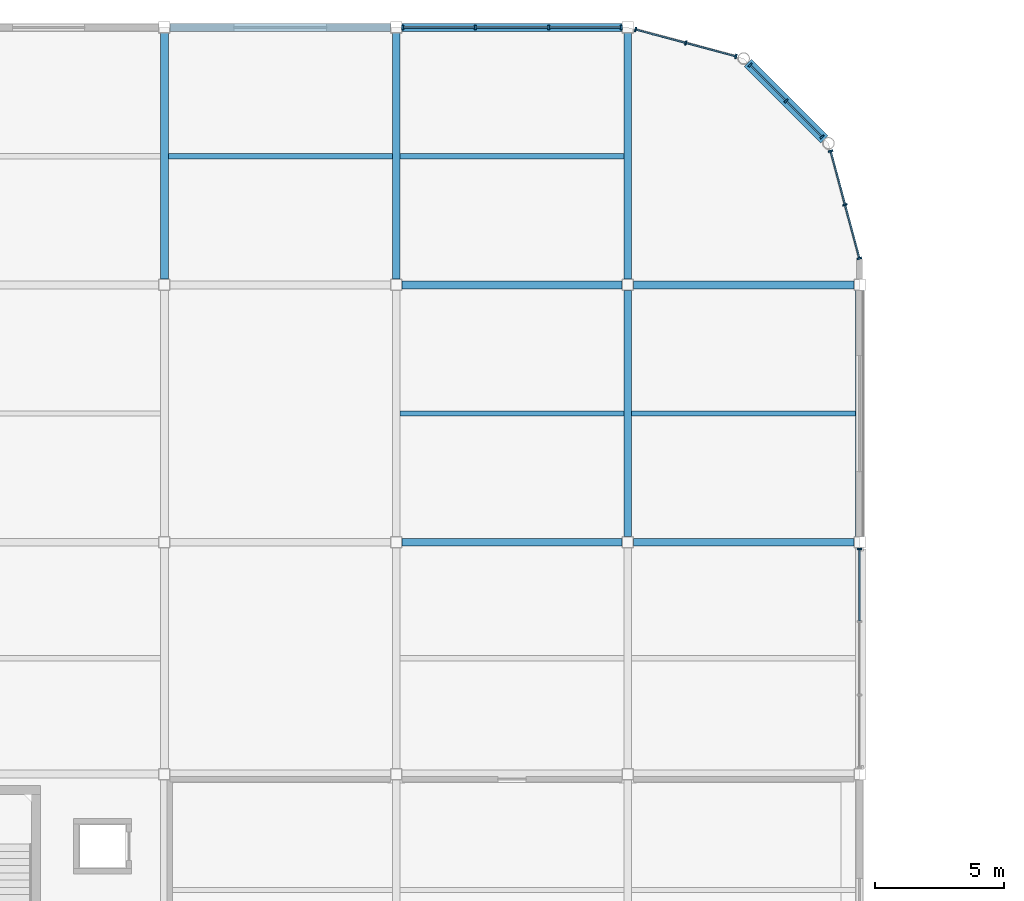
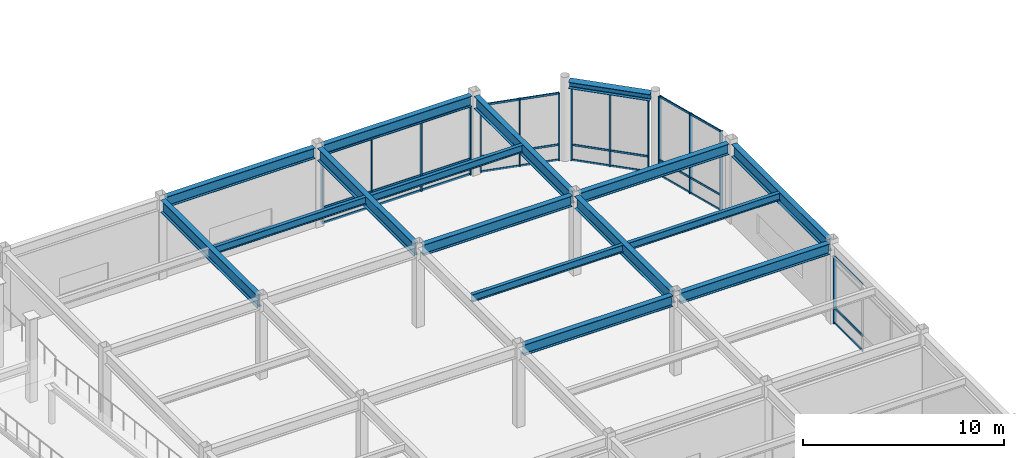
# One storey, part 53 of 123: 44 members, 16 beams, 5 elements without a shape of their own.
"""IFC4 building model written with IfcOpenShell, lengths in metres."""

from ifc_helpers import new_model, si_unit, direction, frame, origin, origin_2d, place, context, subcontext, project, spatial, rectangle, i_section, extrude, material, material_profile, profile_set, type_object, element, aggregate, save


model = new_model("IFC4")

# Units and contexts
model_context = context("Model", 3, precision=1e-05, world=origin(), true_north=direction((0.0, 1.0)))
body_context = subcontext(model_context, "Body", "Model", "MODEL_VIEW")
ifc_project = project(units=[si_unit("LENGTHUNIT", "METRE"), si_unit("AREAUNIT", "SQUARE_METRE"), si_unit("VOLUMEUNIT", "CUBIC_METRE"), si_unit("PLANEANGLEUNIT", "RADIAN"), si_unit("MASSUNIT", "GRAM", prefix="KILO")], contexts=[model_context])

# Site, building, storey
site_placement = place(None, origin())
site = spatial("IfcSite", under=ifc_project, at=site_placement, CompositionType="ELEMENT")
building_placement = place(site_placement, origin())
building = spatial("IfcBuilding", under=site, at=building_placement, Name="Suzunagisa Mobility Hub", CompositionType="ELEMENT")
storey_placement = place(building_placement, origin())
storey = spatial("IfcBuildingStorey", under=building, at=storey_placement, Name="L00", CompositionType="ELEMENT", Elevation=0.0)

# Curtain wall, members
ifc_material_1 = material(Name="Thermally Broken Anodized Aluminum and Low-E Glazing", Category="aluminium")
curtain_wall_type_1 = type_object("IfcCurtainWallType", Name="Unitised Curtain Wall CW-09 8500x4100", PredefinedType="USERDEFINED", material=ifc_material_1)
curtain_wall_1_placement = place(storey_placement, origin())
curtain_wall_1 = element("IfcCurtainWall", 1, at=curtain_wall_1_placement, inside=storey, type_object=curtain_wall_type_1, Name="L00 Unitised Curtain Wall CW-93", ObjectType="UNITISED CURTAIN WALL", PredefinedType="USERDEFINED")
ifc_material_2 = material(Name="Anodized Aluminum 6063-T6", Category="aluminium")
ifc_material_profile_1 = material_profile(ifc_material_2, rectangle(XDim=0.06494140625, YDim=0.139892578125, at=origin_2d()), Name="TRAN-65x140")
ifc_profile_set_1 = profile_set([ifc_material_profile_1], Name="Anodized Aluminum 6063-T6")
member_type_1 = type_object("IfcMemberType", Name="Curtain Wall Framing CM-01 TRAN-65x140", PredefinedType="USERDEFINED", material=ifc_profile_set_1)
member_1_placement = place(storey_placement, frame((126.0, 94.95556640625, 0.032470703125), z_axis=(0.0, 1.0, 0.0), x_axis=(-1.0, 0.0, 0.0)))
member_1 = element("IfcMember", 2, at=member_1_placement, type_object=member_type_1, Name="Curtain Wall Transom 93-T3.1", ObjectType="TRANSOM", PredefinedType="USERDEFINED", context=body_context, shape_type="SweptSolid", body=[
    extrude(rectangle(XDim=0.06494140625, YDim=0.139892578125, at=origin_2d()), origin(), (0.0, 0.0, 1.0), 2.75634765625),
])
member_2_placement = place(storey_placement, frame((126.0, 94.95556640625, 0.949951171875), z_axis=(0.0, 1.0, 0.0), x_axis=(-1.0, 0.0, 0.0)))
member_2 = element("IfcMember", 3, at=member_2_placement, type_object=member_type_1, Name="Curtain Wall Transom 93-T3.2", ObjectType="TRANSOM", PredefinedType="USERDEFINED", context=body_context, shape_type="SweptSolid", body=[
    extrude(rectangle(XDim=0.06494140625, YDim=0.139892578125, at=origin_2d()), origin(), (0.0, 0.0, 1.0), 2.75634765625),
])
member_3_placement = place(storey_placement, frame((126.0, 94.95556640625, 4.0576171875), z_axis=(0.0, 1.0, 0.0), x_axis=(-1.0, 0.0, 0.0)))
member_3 = element("IfcMember", 4, at=member_3_placement, type_object=member_type_1, Name="Curtain Wall Transom 93-T3.3", ObjectType="TRANSOM", PredefinedType="USERDEFINED", context=body_context, shape_type="SweptSolid", body=[
    extrude(rectangle(XDim=0.06494140625, YDim=0.139892578125, at=origin_2d()), origin(), (0.0, 0.0, 1.0), 2.75634765625),
])

curtain_wall_type_2 = type_object("IfcCurtainWallType", Name="Unitised Curtain Wall CW-32 8500x4200", PredefinedType="USERDEFINED", material=ifc_material_1)
curtain_wall_2_placement = place(storey_placement, origin())
curtain_wall_2 = element("IfcCurtainWall", 5, at=curtain_wall_2_placement, inside=storey, type_object=curtain_wall_type_2, Name="L00 Unitised Curtain Wall CW-97", ObjectType="UNITISED CURTAIN WALL", PredefinedType="USERDEFINED")
member_4_placement = place(storey_placement, frame((116.7119140625, 118.0, 0.032470703125), z_axis=(-1.0, 0.0, 0.0), x_axis=(0.0, -1.0, 0.0)))
member_4 = element("IfcMember", 6, at=member_4_placement, type_object=member_type_1, Name="Curtain Wall Transom 97-T1.1", ObjectType="TRANSOM", PredefinedType="USERDEFINED", context=body_context, shape_type="SweptSolid", body=[
    extrude(rectangle(XDim=0.06494140625, YDim=0.139892578125, at=origin_2d()), origin(), (0.0, 0.0, 1.0), 2.75634765625),
])
member_5_placement = place(storey_placement, frame((116.7119140625, 118.0, 0.949951171875), z_axis=(-1.0, 0.0, 0.0), x_axis=(0.0, -1.0, 0.0)))
member_5 = element("IfcMember", 7, at=member_5_placement, type_object=member_type_1, Name="Curtain Wall Transom 97-T1.2", ObjectType="TRANSOM", PredefinedType="USERDEFINED", context=body_context, shape_type="SweptSolid", body=[
    extrude(rectangle(XDim=0.06494140625, YDim=0.139892578125, at=origin_2d()), origin(), (0.0, 0.0, 1.0), 2.75634765625),
])
member_6_placement = place(storey_placement, frame((116.7119140625, 118.0, 4.157470703125), z_axis=(-1.0, 0.0, 0.0), x_axis=(0.0, -1.0, 0.0)))
member_6 = element("IfcMember", 8, at=member_6_placement, type_object=member_type_1, Name="Curtain Wall Transom 97-T1.3", ObjectType="TRANSOM", PredefinedType="USERDEFINED", context=body_context, shape_type="SweptSolid", body=[
    extrude(rectangle(XDim=0.06494140625, YDim=0.139892578125, at=origin_2d()), origin(), (0.0, 0.0, 1.0), 2.75634765625),
])
member_7_placement = place(storey_placement, frame((113.89453125, 118.0, 0.032470703125), z_axis=(-1.0, 0.0, 0.0), x_axis=(0.0, -1.0, 0.0)))
member_7 = element("IfcMember", 9, at=member_7_placement, type_object=member_type_1, Name="Curtain Wall Transom 97-T2.1", ObjectType="TRANSOM", PredefinedType="USERDEFINED", context=body_context, shape_type="SweptSolid", body=[
    extrude(rectangle(XDim=0.06494140625, YDim=0.139892578125, at=origin_2d()), origin(), (0.0, 0.0, 1.0), 2.7890625),
])
member_8_placement = place(storey_placement, frame((113.89453125, 118.0, 0.949951171875), z_axis=(-1.0, 0.0, 0.0), x_axis=(0.0, -1.0, 0.0)))
member_8 = element("IfcMember", 10, at=member_8_placement, type_object=member_type_1, Name="Curtain Wall Transom 97-T2.2", ObjectType="TRANSOM", PredefinedType="USERDEFINED", context=body_context, shape_type="SweptSolid", body=[
    extrude(rectangle(XDim=0.06494140625, YDim=0.139892578125, at=origin_2d()), origin(), (0.0, 0.0, 1.0), 2.7890625),
])
member_9_placement = place(storey_placement, frame((113.89453125, 118.0, 4.157470703125), z_axis=(-1.0, 0.0, 0.0), x_axis=(0.0, -1.0, 0.0)))
member_9 = element("IfcMember", 11, at=member_9_placement, type_object=member_type_1, Name="Curtain Wall Transom 97-T2.3", ObjectType="TRANSOM", PredefinedType="USERDEFINED", context=body_context, shape_type="SweptSolid", body=[
    extrude(rectangle(XDim=0.06494140625, YDim=0.139892578125, at=origin_2d()), origin(), (0.0, 0.0, 1.0), 2.7890625),
])
member_10_placement = place(storey_placement, frame((111.04443359375, 118.0, 0.032470703125), z_axis=(-1.0, 0.0, 0.0), x_axis=(0.0, -1.0, 0.0)))
member_10 = element("IfcMember", 12, at=member_10_placement, type_object=member_type_1, Name="Curtain Wall Transom 97-T3.1", ObjectType="TRANSOM", PredefinedType="USERDEFINED", context=body_context, shape_type="SweptSolid", body=[
    extrude(rectangle(XDim=0.06494140625, YDim=0.139892578125, at=origin_2d()), origin(), (0.0, 0.0, 1.0), 2.75634765625),
])
member_11_placement = place(storey_placement, frame((111.04443359375, 118.0, 0.949951171875), z_axis=(-1.0, 0.0, 0.0), x_axis=(0.0, -1.0, 0.0)))
member_11 = element("IfcMember", 13, at=member_11_placement, type_object=member_type_1, Name="Curtain Wall Transom 97-T3.2", ObjectType="TRANSOM", PredefinedType="USERDEFINED", context=body_context, shape_type="SweptSolid", body=[
    extrude(rectangle(XDim=0.06494140625, YDim=0.139892578125, at=origin_2d()), origin(), (0.0, 0.0, 1.0), 2.75634765625),
])
member_12_placement = place(storey_placement, frame((111.04443359375, 118.0, 4.157470703125), z_axis=(-1.0, 0.0, 0.0), x_axis=(0.0, -1.0, 0.0)))
member_12 = element("IfcMember", 14, at=member_12_placement, type_object=member_type_1, Name="Curtain Wall Transom 97-T3.3", ObjectType="TRANSOM", PredefinedType="USERDEFINED", context=body_context, shape_type="SweptSolid", body=[
    extrude(rectangle(XDim=0.06494140625, YDim=0.139892578125, at=origin_2d()), origin(), (0.0, 0.0, 1.0), 2.75634765625),
])

curtain_wall_type_3 = type_object("IfcCurtainWallType", Name="Unitised Curtain Wall CW-08 4500x4800", PredefinedType="USERDEFINED", material=ifc_material_1)
curtain_wall_3_placement = place(storey_placement, origin())
curtain_wall_3 = element("IfcCurtainWall", 15, at=curtain_wall_3_placement, inside=storey, type_object=curtain_wall_type_3, Name="L00 Unitised Curtain Wall CW-94", ObjectType="UNITISED CURTAIN WALL", PredefinedType="USERDEFINED")
ifc_material_profile_2 = material_profile(ifc_material_2, rectangle(XDim=0.06005859375, YDim=0.1201171875, at=origin_2d()), Name="TRAN-60x120")
ifc_profile_set_2 = profile_set([ifc_material_profile_2], Name="Anodized Aluminum 6063-T6")
member_type_2 = type_object("IfcMemberType", Name="Curtain Wall Framing CM-02 TRAN-60x120", PredefinedType="USERDEFINED", material=ifc_profile_set_2)
member_13_placement = place(storey_placement, frame((125.983642578125, 109.060791015625, 0.030029296875), z_axis=(-0.258837010304, 0.965921012349, 0.0), x_axis=(-0.965921012349, -0.258837010304, 0.0)))
member_13 = element("IfcMember", 16, at=member_13_placement, type_object=member_type_2, Name="Curtain Wall Transom 94-T1.1", ObjectType="TRANSOM", PredefinedType="USERDEFINED", context=body_context, shape_type="SweptSolid", body=[
    extrude(rectangle(XDim=0.06005859375, YDim=0.1201171875, at=origin_2d()), origin(), (0.0, 0.0, 1.0), 2.095947265625),
])
member_14_placement = place(storey_placement, frame((125.983642578125, 109.060791015625, 0.949951171875), z_axis=(-0.258837010304, 0.965921012349, 0.0), x_axis=(-0.965921012349, -0.258837010304, 0.0)))
member_14 = element("IfcMember", 17, at=member_14_placement, type_object=member_type_2, Name="Curtain Wall Transom 94-T1.2", ObjectType="TRANSOM", PredefinedType="USERDEFINED", context=body_context, shape_type="SweptSolid", body=[
    extrude(rectangle(XDim=0.06005859375, YDim=0.1201171875, at=origin_2d()), origin(), (0.0, 0.0, 1.0), 2.095947265625),
])
member_15_placement = place(storey_placement, frame((125.983642578125, 109.060791015625, 4.81005859375), z_axis=(-0.258837010304, 0.965921012349, 0.0), x_axis=(-0.965921012349, -0.258837010304, 0.0)))
member_15 = element("IfcMember", 18, at=member_15_placement, type_object=member_type_2, Name="Curtain Wall Transom 94-T1.3", ObjectType="TRANSOM", PredefinedType="USERDEFINED", context=body_context, shape_type="SweptSolid", body=[
    extrude(rectangle(XDim=0.06005859375, YDim=0.1201171875, at=origin_2d()), origin(), (0.0, 0.0, 1.0), 2.095947265625),
])
member_16_placement = place(storey_placement, frame((125.42529296875, 111.144287109375, 0.030029296875), z_axis=(-0.258728321405, 0.965950131064, 0.0), x_axis=(-0.965950131064, -0.258728321405, 0.0)))
member_16 = element("IfcMember", 19, at=member_16_placement, type_object=member_type_2, Name="Curtain Wall Transom 94-T2.1", ObjectType="TRANSOM", PredefinedType="USERDEFINED", context=body_context, shape_type="SweptSolid", body=[
    extrude(rectangle(XDim=0.06005859375, YDim=0.1201171875, at=origin_2d()), origin(), (0.0, 0.0, 1.0), 2.095703125),
])
member_17_placement = place(storey_placement, frame((125.42529296875, 111.144287109375, 0.949951171875), z_axis=(-0.258728321405, 0.965950131064, 0.0), x_axis=(-0.965950131064, -0.258728321405, 0.0)))
member_17 = element("IfcMember", 20, at=member_17_placement, type_object=member_type_2, Name="Curtain Wall Transom 94-T2.2", ObjectType="TRANSOM", PredefinedType="USERDEFINED", context=body_context, shape_type="SweptSolid", body=[
    extrude(rectangle(XDim=0.06005859375, YDim=0.1201171875, at=origin_2d()), origin(), (0.0, 0.0, 1.0), 2.095703125),
])
member_18_placement = place(storey_placement, frame((125.42529296875, 111.144287109375, 4.81005859375), z_axis=(-0.258728321405, 0.965950131064, 0.0), x_axis=(-0.965950131064, -0.258728321405, 0.0)))
member_18 = element("IfcMember", 21, at=member_18_placement, type_object=member_type_2, Name="Curtain Wall Transom 94-T2.3", ObjectType="TRANSOM", PredefinedType="USERDEFINED", context=body_context, shape_type="SweptSolid", body=[
    extrude(rectangle(XDim=0.06005859375, YDim=0.1201171875, at=origin_2d()), origin(), (0.0, 0.0, 1.0), 2.095703125),
])

curtain_wall_type_4 = type_object("IfcCurtainWallType", Name="Unitised Curtain Wall CW-26 4000x4400", PredefinedType="USERDEFINED", material=ifc_material_1)
curtain_wall_4_placement = place(storey_placement, origin())
curtain_wall_4 = element("IfcCurtainWall", 22, at=curtain_wall_4_placement, inside=storey, type_object=curtain_wall_type_4, Name="L00 Unitised Curtain Wall CW-95", ObjectType="UNITISED CURTAIN WALL", PredefinedType="USERDEFINED")
member_19_placement = place(storey_placement, frame((124.52099609375, 113.773193359375, 0.030029296875), z_axis=(-0.707106781187, 0.707106781187, 0.0), x_axis=(-0.707106781187, -0.707106781187, 0.0)))
member_19 = element("IfcMember", 23, at=member_19_placement, type_object=member_type_2, Name="Curtain Wall Transom 95-T1.1", ObjectType="TRANSOM", PredefinedType="USERDEFINED", context=body_context, shape_type="SweptSolid", body=[
    extrude(rectangle(XDim=0.06005859375, YDim=0.1201171875, at=origin_2d()), origin(), (0.0, 0.0, 1.0), 1.912353515625),
])
member_20_placement = place(storey_placement, frame((124.52099609375, 113.773193359375, 0.949951171875), z_axis=(-0.707106781187, 0.707106781187, 0.0), x_axis=(-0.707106781187, -0.707106781187, 0.0)))
member_20 = element("IfcMember", 24, at=member_20_placement, type_object=member_type_2, Name="Curtain Wall Transom 95-T1.2", ObjectType="TRANSOM", PredefinedType="USERDEFINED", context=body_context, shape_type="SweptSolid", body=[
    extrude(rectangle(XDim=0.06005859375, YDim=0.1201171875, at=origin_2d()), origin(), (0.0, 0.0, 1.0), 1.912353515625),
])
member_21_placement = place(storey_placement, frame((124.52099609375, 113.773193359375, 4.409912109375), z_axis=(-0.707106781187, 0.707106781187, 0.0), x_axis=(-0.707106781187, -0.707106781187, 0.0)))
member_21 = element("IfcMember", 25, at=member_21_placement, type_object=member_type_2, Name="Curtain Wall Transom 95-T1.3", ObjectType="TRANSOM", PredefinedType="USERDEFINED", context=body_context, shape_type="SweptSolid", body=[
    extrude(rectangle(XDim=0.06005859375, YDim=0.1201171875, at=origin_2d()), origin(), (0.0, 0.0, 1.0), 1.912353515625),
])
member_22_placement = place(storey_placement, frame((123.12548828125, 115.168701171875, 0.030029296875), z_axis=(-0.707106781187, 0.707106781187, 0.0), x_axis=(-0.707106781187, -0.707106781187, 0.0)))
member_22 = element("IfcMember", 26, at=member_22_placement, type_object=member_type_2, Name="Curtain Wall Transom 95-T2.1", ObjectType="TRANSOM", PredefinedType="USERDEFINED", context=body_context, shape_type="SweptSolid", body=[
    extrude(rectangle(XDim=0.06005859375, YDim=0.1201171875, at=origin_2d()), origin(), (0.0, 0.0, 1.0), 1.912353515625),
])
member_23_placement = place(storey_placement, frame((123.12548828125, 115.168701171875, 0.949951171875), z_axis=(-0.707106781187, 0.707106781187, 0.0), x_axis=(-0.707106781187, -0.707106781187, 0.0)))
member_23 = element("IfcMember", 27, at=member_23_placement, type_object=member_type_2, Name="Curtain Wall Transom 95-T2.2", ObjectType="TRANSOM", PredefinedType="USERDEFINED", context=body_context, shape_type="SweptSolid", body=[
    extrude(rectangle(XDim=0.06005859375, YDim=0.1201171875, at=origin_2d()), origin(), (0.0, 0.0, 1.0), 1.912353515625),
])
member_24_placement = place(storey_placement, frame((123.12548828125, 115.168701171875, 4.409912109375), z_axis=(-0.707106781187, 0.707106781187, 0.0), x_axis=(-0.707106781187, -0.707106781187, 0.0)))
member_24 = element("IfcMember", 28, at=member_24_placement, type_object=member_type_2, Name="Curtain Wall Transom 95-T2.3", ObjectType="TRANSOM", PredefinedType="USERDEFINED", context=body_context, shape_type="SweptSolid", body=[
    extrude(rectangle(XDim=0.06005859375, YDim=0.1201171875, at=origin_2d()), origin(), (0.0, 0.0, 1.0), 1.912353515625),
])

curtain_wall_type_5 = type_object("IfcCurtainWallType", Name="Unitised Curtain Wall CW-40 4000x4100", PredefinedType="USERDEFINED", material=ifc_material_1)
curtain_wall_5_placement = place(storey_placement, origin())
curtain_wall_5 = element("IfcCurtainWall", 29, at=curtain_wall_5_placement, inside=storey, type_object=curtain_wall_type_5, Name="L00 Unitised Curtain Wall CW-96", ObjectType="UNITISED CURTAIN WALL", PredefinedType="USERDEFINED")
member_25_placement = place(storey_placement, frame((121.168701171875, 116.883056640625, 0.030029296875), z_axis=(-0.965919666478, 0.258842032736, 0.0), x_axis=(-0.258842032736, -0.965919666478, 0.0)))
member_25 = element("IfcMember", 30, at=member_25_placement, type_object=member_type_2, Name="Curtain Wall Transom 96-T1.1", ObjectType="TRANSOM", PredefinedType="USERDEFINED", context=body_context, shape_type="SweptSolid", body=[
    extrude(rectangle(XDim=0.06005859375, YDim=0.1201171875, at=origin_2d()), origin(), (0.0, 0.0, 1.0), 1.9580078125),
])
member_26_placement = place(storey_placement, frame((121.168701171875, 116.883056640625, 0.949951171875), z_axis=(-0.965919666478, 0.258842032736, 0.0), x_axis=(-0.258842032736, -0.965919666478, 0.0)))
member_26 = element("IfcMember", 31, at=member_26_placement, type_object=member_type_2, Name="Curtain Wall Transom 96-T1.2", ObjectType="TRANSOM", PredefinedType="USERDEFINED", context=body_context, shape_type="SweptSolid", body=[
    extrude(rectangle(XDim=0.06005859375, YDim=0.1201171875, at=origin_2d()), origin(), (0.0, 0.0, 1.0), 1.9580078125),
])
member_27_placement = place(storey_placement, frame((121.168701171875, 116.883056640625, 4.06005859375), z_axis=(-0.965919666478, 0.258842032736, 0.0), x_axis=(-0.258842032736, -0.965919666478, 0.0)))
member_27 = element("IfcMember", 32, at=member_27_placement, type_object=member_type_2, Name="Curtain Wall Transom 96-T1.3", ObjectType="TRANSOM", PredefinedType="USERDEFINED", context=body_context, shape_type="SweptSolid", body=[
    extrude(rectangle(XDim=0.06005859375, YDim=0.1201171875, at=origin_2d()), origin(), (0.0, 0.0, 1.0), 1.9580078125),
])
member_28_placement = place(storey_placement, frame((119.218505859375, 117.405517578125, 0.030029296875), z_axis=(-0.965919666478, 0.258842032736, 0.0), x_axis=(-0.258842032736, -0.965919666478, 0.0)))
member_28 = element("IfcMember", 33, at=member_28_placement, type_object=member_type_2, Name="Curtain Wall Transom 96-T2.1", ObjectType="TRANSOM", PredefinedType="USERDEFINED", context=body_context, shape_type="SweptSolid", body=[
    extrude(rectangle(XDim=0.06005859375, YDim=0.1201171875, at=origin_2d()), origin(), (0.0, 0.0, 1.0), 1.9580078125),
])
member_29_placement = place(storey_placement, frame((119.218505859375, 117.405517578125, 0.949951171875), z_axis=(-0.965919666478, 0.258842032736, 0.0), x_axis=(-0.258842032736, -0.965919666478, 0.0)))
member_29 = element("IfcMember", 34, at=member_29_placement, type_object=member_type_2, Name="Curtain Wall Transom 96-T2.2", ObjectType="TRANSOM", PredefinedType="USERDEFINED", context=body_context, shape_type="SweptSolid", body=[
    extrude(rectangle(XDim=0.06005859375, YDim=0.1201171875, at=origin_2d()), origin(), (0.0, 0.0, 1.0), 1.9580078125),
])
member_30_placement = place(storey_placement, frame((119.218505859375, 117.405517578125, 4.06005859375), z_axis=(-0.965919666478, 0.258842032736, 0.0), x_axis=(-0.258842032736, -0.965919666478, 0.0)))
member_30 = element("IfcMember", 35, at=member_30_placement, type_object=member_type_2, Name="Curtain Wall Transom 96-T2.3", ObjectType="TRANSOM", PredefinedType="USERDEFINED", context=body_context, shape_type="SweptSolid", body=[
    extrude(rectangle(XDim=0.06005859375, YDim=0.1201171875, at=origin_2d()), origin(), (0.0, 0.0, 1.0), 1.9580078125),
])

# Member
ifc_material_profile_3 = material_profile(ifc_material_2, rectangle(XDim=0.06494140625, YDim=0.179931640625, at=origin_2d()), Name="MULL-65x180")
ifc_profile_set_3 = profile_set([ifc_material_profile_3], Name="Anodized Aluminum 6063-T6")
member_type_3 = type_object("IfcMemberType", Name="Curtain Wall Framing CM-04 MULL-65x180", PredefinedType="MULLION", material=ifc_profile_set_3)
member_31_placement = place(storey_placement, frame((126.0, 97.742431640625, 0.0), z_axis=(0.0, 0.0, 1.0), x_axis=(0.0, 1.0, 0.0)))
member_31 = element("IfcMember", 36, at=member_31_placement, type_object=member_type_3, Name="Curtain Wall Mullion 93-M4", PredefinedType="MULLION", context=body_context, shape_type="SweptSolid", body=[
    extrude(rectangle(XDim=0.06494140625, YDim=0.179931640625, at=origin_2d()), origin(), (0.0, 0.0, 1.0), 4.090087890625),
])

aggregate(curtain_wall_1, [member_31, member_1, member_2, member_3])

member_32_placement = place(storey_placement, frame((125.99169921875, 109.031494140625, 0.0), z_axis=(0.0, 0.0, 1.0), x_axis=(-0.258815230137, 0.965926848498, 0.0)))
member_32 = element("IfcMember", 37, at=member_32_placement, type_object=member_type_3, Name="Curtain Wall Mullion 94-M1", PredefinedType="MULLION", context=body_context, shape_type="SweptSolid", body=[
    extrude(rectangle(XDim=0.06494140625, YDim=0.179931640625, at=origin_2d()), origin(), (0.0, 0.0, 1.0), 4.840087890625),
])

member_33_placement = place(storey_placement, frame((125.433349609375, 111.11474609375, 0.0), z_axis=(0.0, 0.0, 1.0), x_axis=(-0.258815230137, 0.965926848498, 0.0)))
member_33 = element("IfcMember", 38, at=member_33_placement, type_object=member_type_3, Name="Curtain Wall Mullion 94-M2", PredefinedType="MULLION", context=body_context, shape_type="SweptSolid", body=[
    extrude(rectangle(XDim=0.06494140625, YDim=0.179931640625, at=origin_2d()), origin(), (0.0, 0.0, 1.0), 4.840087890625),
])

member_34_placement = place(storey_placement, frame((124.875, 113.1982421875, 0.0), z_axis=(0.0, 0.0, 1.0), x_axis=(-0.258815230137, 0.965926848498, 0.0)))
member_34 = element("IfcMember", 39, at=member_34_placement, type_object=member_type_3, Name="Curtain Wall Mullion 94-M3", PredefinedType="MULLION", context=body_context, shape_type="SweptSolid", body=[
    extrude(rectangle(XDim=0.06494140625, YDim=0.179931640625, at=origin_2d()), origin(), (0.0, 0.0, 1.0), 4.840087890625),
])

aggregate(curtain_wall_3, [member_32, member_33, member_34, member_13, member_14, member_15, member_16, member_17, member_18])

member_35_placement = place(storey_placement, frame((124.54248046875, 113.751708984375, 0.0), z_axis=(0.0, 0.0, 1.0), x_axis=(-0.707106781187, 0.707106781187, 0.0)))
member_35 = element("IfcMember", 40, at=member_35_placement, type_object=member_type_3, Name="Curtain Wall Mullion 95-M1", PredefinedType="MULLION", context=body_context, shape_type="SweptSolid", body=[
    extrude(rectangle(XDim=0.06494140625, YDim=0.179931640625, at=origin_2d()), origin(), (0.0, 0.0, 1.0), 4.43994140625),
])

member_36_placement = place(storey_placement, frame((123.147216796875, 115.147216796875, 0.0), z_axis=(0.0, 0.0, 1.0), x_axis=(-0.707106781187, 0.707106781187, 0.0)))
member_36 = element("IfcMember", 41, at=member_36_placement, type_object=member_type_3, Name="Curtain Wall Mullion 95-M2", PredefinedType="MULLION", context=body_context, shape_type="SweptSolid", body=[
    extrude(rectangle(XDim=0.06494140625, YDim=0.179931640625, at=origin_2d()), origin(), (0.0, 0.0, 1.0), 4.43994140625),
])

member_37_placement = place(storey_placement, frame((121.751708984375, 116.54248046875, 0.0), z_axis=(0.0, 0.0, 1.0), x_axis=(-0.707106781187, 0.707106781187, 0.0)))
member_37 = element("IfcMember", 42, at=member_37_placement, type_object=member_type_3, Name="Curtain Wall Mullion 95-M3", PredefinedType="MULLION", context=body_context, shape_type="SweptSolid", body=[
    extrude(rectangle(XDim=0.06494140625, YDim=0.179931640625, at=origin_2d()), origin(), (0.0, 0.0, 1.0), 4.43994140625),
])

aggregate(curtain_wall_4, [member_35, member_36, member_37, member_19, member_20, member_21, member_22, member_23, member_24])

member_38_placement = place(storey_placement, frame((121.1982421875, 116.875, 0.0), z_axis=(0.0, 0.0, 1.0), x_axis=(-0.965925206606, 0.258821357779, 0.0)))
member_38 = element("IfcMember", 43, at=member_38_placement, type_object=member_type_3, Name="Curtain Wall Mullion 96-M1", PredefinedType="MULLION", context=body_context, shape_type="SweptSolid", body=[
    extrude(rectangle(XDim=0.06494140625, YDim=0.179931640625, at=origin_2d()), origin(), (0.0, 0.0, 1.0), 4.090087890625),
])

member_39_placement = place(storey_placement, frame((119.247802734375, 117.397705078125, 0.0), z_axis=(0.0, 0.0, 1.0), x_axis=(-0.965925206606, 0.258821357779, 0.0)))
member_39 = element("IfcMember", 44, at=member_39_placement, type_object=member_type_3, Name="Curtain Wall Mullion 96-M2", PredefinedType="MULLION", context=body_context, shape_type="SweptSolid", body=[
    extrude(rectangle(XDim=0.06494140625, YDim=0.179931640625, at=origin_2d()), origin(), (0.0, 0.0, 1.0), 4.090087890625),
])

member_40_placement = place(storey_placement, frame((117.297607421875, 117.92041015625, 0.0), z_axis=(0.0, 0.0, 1.0), x_axis=(-0.965925206606, 0.258821357779, 0.0)))
member_40 = element("IfcMember", 45, at=member_40_placement, type_object=member_type_3, Name="Curtain Wall Mullion 96-M3", PredefinedType="MULLION", context=body_context, shape_type="SweptSolid", body=[
    extrude(rectangle(XDim=0.06494140625, YDim=0.179931640625, at=origin_2d()), origin(), (0.0, 0.0, 1.0), 4.090087890625),
])

aggregate(curtain_wall_5, [member_38, member_39, member_40, member_25, member_26, member_27, member_28, member_29, member_30])

member_41_placement = place(storey_placement, frame((116.742431640625, 118.0, 0.0), z_axis=(0.0, 0.0, 1.0), x_axis=(-1.0, 0.0, 0.0)))
member_41 = element("IfcMember", 46, at=member_41_placement, type_object=member_type_3, Name="Curtain Wall Mullion 97-M1", PredefinedType="MULLION", context=body_context, shape_type="SweptSolid", body=[
    extrude(rectangle(XDim=0.06494140625, YDim=0.179931640625, at=origin_2d()), origin(), (0.0, 0.0, 1.0), 4.18994140625),
])

member_42_placement = place(storey_placement, frame((113.925048828125, 118.0, 0.0), z_axis=(0.0, 0.0, 1.0), x_axis=(-1.0, 0.0, 0.0)))
member_42 = element("IfcMember", 47, at=member_42_placement, type_object=member_type_3, Name="Curtain Wall Mullion 97-M2", PredefinedType="MULLION", context=body_context, shape_type="SweptSolid", body=[
    extrude(rectangle(XDim=0.06494140625, YDim=0.179931640625, at=origin_2d()), origin(), (0.0, 0.0, 1.0), 4.18994140625),
])

member_43_placement = place(storey_placement, frame((111.074951171875, 118.0, 0.0), z_axis=(0.0, 0.0, 1.0), x_axis=(-1.0, 0.0, 0.0)))
member_43 = element("IfcMember", 48, at=member_43_placement, type_object=member_type_3, Name="Curtain Wall Mullion 97-M3", PredefinedType="MULLION", context=body_context, shape_type="SweptSolid", body=[
    extrude(rectangle(XDim=0.06494140625, YDim=0.179931640625, at=origin_2d()), origin(), (0.0, 0.0, 1.0), 4.18994140625),
])

member_44_placement = place(storey_placement, frame((108.257568359375, 118.0, 0.0), z_axis=(0.0, 0.0, 1.0), x_axis=(-1.0, 0.0, 0.0)))
member_44 = element("IfcMember", 49, at=member_44_placement, type_object=member_type_3, Name="Curtain Wall Mullion 97-M4", PredefinedType="MULLION", context=body_context, shape_type="SweptSolid", body=[
    extrude(rectangle(XDim=0.06494140625, YDim=0.179931640625, at=origin_2d()), origin(), (0.0, 0.0, 1.0), 4.18994140625),
])

aggregate(curtain_wall_2, [member_41, member_42, member_43, member_44, member_4, member_5, member_6, member_7, member_8, member_9, member_10, member_11, member_12])

# Beams
ifc_material_3 = material(Name="Steel SN400B", Category="steel")
ifc_material_profile_4 = material_profile(ifc_material_3, i_section(OverallWidth=0.199951171875, OverallDepth=0.449951171875, WebThickness=0.009033203125, FlangeThickness=0.013916015625, FilletRadius=0.012939453125, at=origin_2d()), Name="H-450x200x9x14")
ifc_profile_set_4 = profile_set([ifc_material_profile_4], Name="Steel SN400B")
beam_type_1 = type_object("IfcBeamType", Name="Steel Beam BM-05 H-450x200x9x14", PredefinedType="JOIST", material=ifc_profile_set_4)
for number, where, z_axis, x_axis, name in (
    (50, (99.14990234375, 113.0, 4.614990234375), (1.0, 0.0, 0.0), (0.0, 1.0, 0.0), "L00 Composite Floor Joist J-794"),
    (51, (108.14990234375, 103.0, 4.614990234375), (1.0, 0.0, 0.0), (0.0, 1.0, 0.0), "L00 Composite Floor Joist J-797"),
    (52, (108.14990234375, 113.0, 4.614990234375), (1.0, 0.0, 0.0), (0.0, 1.0, 0.0), "L00 Composite Floor Joist J-798"),
    (53, (117.14990234375, 103.0, 4.614990234375), (1.0, 0.0, 0.0), (0.0, 1.0, 0.0), "L00 Composite Floor Joist J-801"),
):
    element("IfcBeam", number, at=place(storey_placement, frame(where, z_axis=z_axis, x_axis=x_axis)), inside=storey, type_object=beam_type_1, Name=name, PredefinedType="JOIST", context=body_context, shape_type="SweptSolid", body=[
        extrude(i_section(OverallWidth=0.199951171875, OverallDepth=0.449951171875, WebThickness=0.009033203125, FlangeThickness=0.013916015625, FilletRadius=0.012939453125, at=origin_2d()), origin(), (0.0, 0.0, 1.0), 8.7001953125),
    ])
ifc_material_4 = material(Name="Steel SN490B", Category="steel")
ifc_material_profile_5 = material_profile(ifc_material_4, i_section(OverallWidth=0.300048828125, OverallDepth=0.64990234375, WebThickness=0.012939453125, FlangeThickness=0.02197265625, FilletRadius=0.01611328125, at=origin_2d()), Name="H-650x300x13x22")
ifc_profile_set_5 = profile_set([ifc_material_profile_5], Name="Steel SN490B")
beam_type_2 = type_object("IfcBeamType", Name="Steel Beam BM-10 H-650x300x13x22", PredefinedType="BEAM", material=ifc_profile_set_5)
for number, where, z_axis, x_axis, name in (
    (54, (108.220947265625, 98.0, 4.514892578125), (1.0, 0.0, 0.0), (0.0, 1.0, 0.0), "L00 Primary Girder GX-725"),
    (55, (117.220947265625, 98.0, 4.514892578125), (1.0, 0.0, 0.0), (0.0, 1.0, 0.0), "L00 Primary Girder GX-726"),
    (56, (108.220947265625, 108.0, 4.514892578125), (1.0, 0.0, 0.0), (0.0, 1.0, 0.0), "L00 Primary Girder GX-732"),
    (57, (117.220947265625, 108.0, 4.514892578125), (1.0, 0.0, 0.0), (0.0, 1.0, 0.0), "L00 Primary Girder GX-733"),
    (58, (99.220947265625, 118.0, 4.514892578125), (1.0, 0.0, 0.0), (0.0, 1.0, 0.0), "L00 Primary Girder GX-740"),
    (59, (108.220947265625, 118.0, 4.514892578125), (1.0, 0.0, 0.0), (0.0, 1.0, 0.0), "L00 Primary Girder GX-741"),
):
    element("IfcBeam", number, at=place(storey_placement, frame(where, z_axis=z_axis, x_axis=x_axis)), inside=storey, type_object=beam_type_2, Name=name, PredefinedType="BEAM", context=body_context, shape_type="SweptSolid", body=[
        extrude(i_section(OverallWidth=0.300048828125, OverallDepth=0.64990234375, WebThickness=0.012939453125, FlangeThickness=0.02197265625, FilletRadius=0.01611328125, at=origin_2d()), origin(), (0.0, 0.0, 1.0), 8.55810546875),
    ])
ifc_material_profile_6 = material_profile(ifc_material_4, i_section(OverallWidth=0.39990234375, OverallDepth=0.39990234375, WebThickness=0.012939453125, FlangeThickness=0.02099609375, FilletRadius=0.01611328125, at=origin_2d()), Name="H-400x400x13x21")
ifc_profile_set_6 = profile_set([ifc_material_profile_6], Name="Steel SN490B")
beam_type_3 = type_object("IfcBeamType", Name="Steel Beam BM-12 H-400x400x13x21", PredefinedType="SPANDREL", material=ifc_profile_set_6)
beam_placement = place(storey_placement, frame((124.632568359375, 113.66162109375, 4.639892578125), z_axis=(-0.707106781187, 0.707106781187, 0.0), x_axis=(-0.707106781187, -0.707106781187, 0.0)))
element("IfcBeam", 60, at=beam_placement, inside=storey, type_object=beam_type_3, Name="L00 Streamline Prow Spandrel 778", PredefinedType="SPANDREL", context=body_context, shape_type="SweptSolid", body=[
    extrude(i_section(OverallWidth=0.39990234375, OverallDepth=0.39990234375, WebThickness=0.012939453125, FlangeThickness=0.02099609375, FilletRadius=0.01611328125, at=origin_2d()), origin(), (0.0, 0.0, 1.0), 4.20166015625),
])
ifc_material_profile_7 = material_profile(ifc_material_4, i_section(OverallWidth=0.300048828125, OverallDepth=0.75, WebThickness=0.013916015625, FlangeThickness=0.02587890625, FilletRadius=0.01806640625, at=origin_2d()), Name="H-750x300x14x26")
ifc_profile_set_7 = profile_set([ifc_material_profile_7], Name="Steel SN490B")
beam_type_4 = type_object("IfcBeamType", Name="Steel Beam BM-15 H-750x300x14x26", PredefinedType="BEAM", material=ifc_profile_set_7)
for number, where, z_axis, x_axis, name in (
    (61, (99.0, 108.220947265625, 4.465087890625), (0.0, 1.0, 0.0), (-1.0, 0.0, 0.0), "L00 Primary Girder GY-766"),
    (62, (108.0, 108.220947265625, 4.465087890625), (0.0, 1.0, 0.0), (-1.0, 0.0, 0.0), "L00 Primary Girder GY-770"),
    (63, (117.0, 98.220947265625, 4.465087890625), (0.0, 1.0, 0.0), (-1.0, 0.0, 0.0), "L00 Primary Girder GY-773"),
    (64, (117.0, 108.220947265625, 4.465087890625), (0.0, 1.0, 0.0), (-1.0, 0.0, 0.0), "L00 Primary Girder GY-774"),
    (65, (126.0, 98.220947265625, 4.465087890625), (0.0, 1.0, 0.0), (-1.0, 0.0, 0.0), "L00 Primary Girder GY-777"),
):
    element("IfcBeam", number, at=place(storey_placement, frame(where, z_axis=z_axis, x_axis=x_axis)), inside=storey, type_object=beam_type_4, Name=name, PredefinedType="BEAM", context=body_context, shape_type="SweptSolid", body=[
        extrude(i_section(OverallWidth=0.300048828125, OverallDepth=0.75, WebThickness=0.013916015625, FlangeThickness=0.02587890625, FilletRadius=0.01806640625, at=origin_2d()), origin(), (0.0, 0.0, 1.0), 9.55810546875),
    ])

save(model, "model.ifc")
